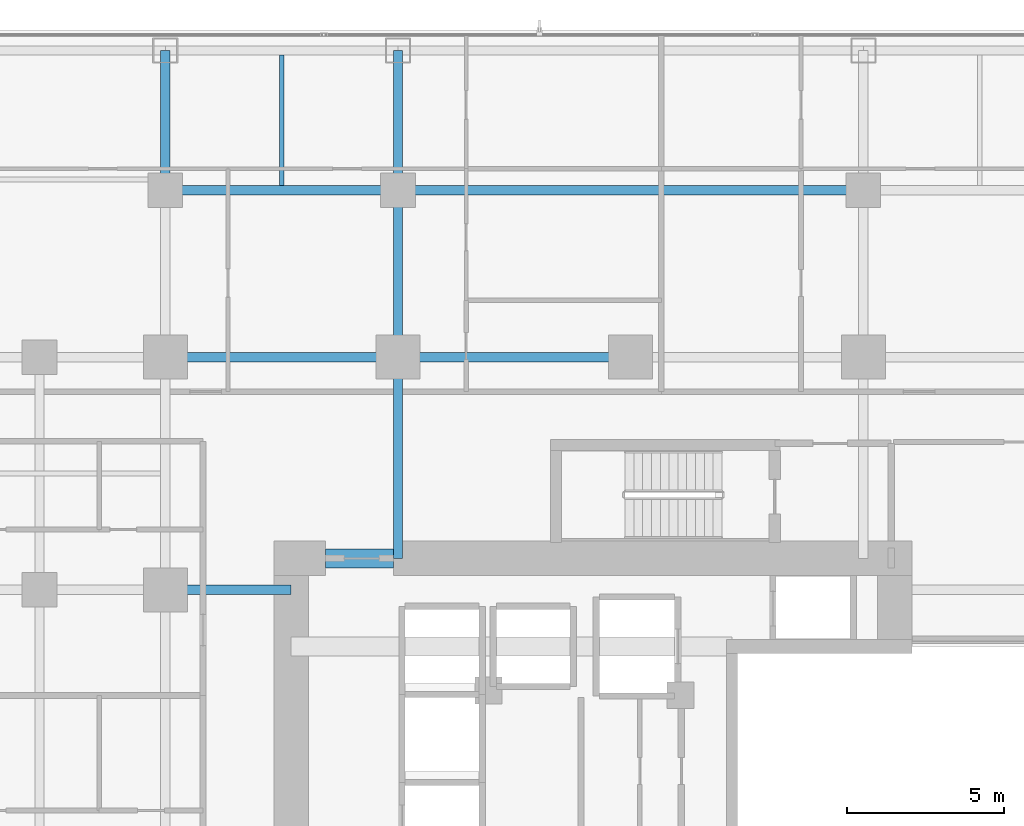
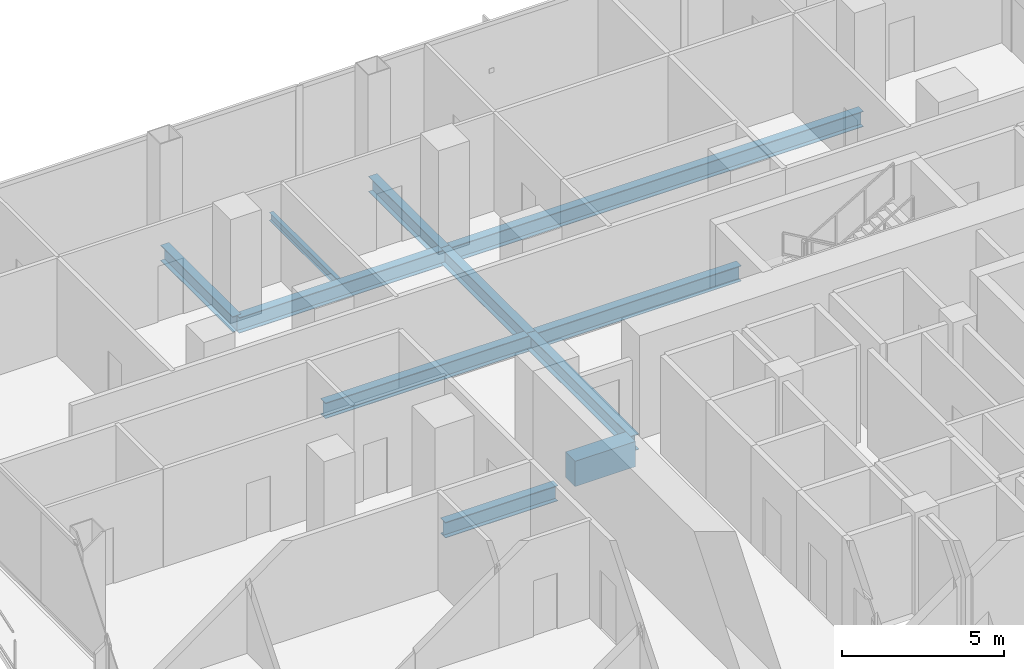
# One storey, part 14 of 30: 11 beams.
"""IFC4 building model written with IfcOpenShell, lengths in metres."""

from ifc_helpers import new_model, si_unit, direction, frame, origin, origin_2d, place, context, subcontext, project, spatial, rectangle, i_section, extrude, material, material_profile, profile_set, type_object, element, save


model = new_model("IFC4")

# Units and contexts
model_context = context("Model", 3, precision=1e-05, world=origin(), true_north=direction((0.0, 1.0)))
body_context = subcontext(model_context, "Body", "Model", "MODEL_VIEW")
ifc_project = project(units=[si_unit("LENGTHUNIT", "METRE"), si_unit("AREAUNIT", "SQUARE_METRE"), si_unit("VOLUMEUNIT", "CUBIC_METRE"), si_unit("PLANEANGLEUNIT", "RADIAN"), si_unit("MASSUNIT", "GRAM", prefix="KILO")], contexts=[model_context])

# Site, building, storey
site_placement = place(None, origin())
site = spatial("IfcSite", under=ifc_project, at=site_placement, CompositionType="ELEMENT")
building_placement = place(site_placement, origin())
building = spatial("IfcBuilding", under=site, at=building_placement, Name="Khorvyn Point Tower", CompositionType="ELEMENT")
storey_placement = place(building_placement, frame((0.0, 0.0, 57.89990234375)))
storey = spatial("IfcBuildingStorey", under=building, at=storey_placement, Name="L15", CompositionType="ELEMENT", Elevation=57.89990234375)

# Beams
ifc_material_1 = material(Name="Concrete C50/60", Category="concrete")
ifc_material_profile_1 = material_profile(ifc_material_1, rectangle(XDim=0.60009765625, YDim=0.949951171875, at=origin_2d()))
ifc_profile_set_1 = profile_set([ifc_material_profile_1], Name="Concrete C50/60 RC600x950")
beam_type_1 = type_object("IfcBeamType", Name="Concrete C50/60 Beam RC600x950", PredefinedType="BEAM", material=ifc_profile_set_1)
beam_1_placement = place(storey_placement, frame((-9.699951171875, 8.39990234375, -0.69482421875), z_axis=(1.0, 0.0, 0.0), x_axis=(0.0, 1.0, 0.0)))
element("IfcBeam", 1, at=beam_1_placement, inside=storey, type_object=beam_type_1, Name="L15 Core Northwest Portal Coupling Beam", PredefinedType="BEAM", context=body_context, shape_type="SweptSolid", body=[
    extrude(rectangle(XDim=0.60009765625, YDim=0.949951171875, at=origin_2d()), origin(), (0.0, 0.0, 1.0), 2.14990234375),
])
ifc_material_2 = material(Name="Steel S355", Category="steel")
ifc_material_profile_2 = material_profile(ifc_material_2, i_section(OverallWidth=0.300048828125, OverallDepth=0.587890625, WebThickness=0.011962890625, FlangeThickness=0.02001953125, at=origin_2d()))
ifc_profile_set_2 = profile_set([ifc_material_profile_2], Name="Steel S355 H588x300x12x20")
beam_type_2 = type_object("IfcBeamType", Name="Steel S355 Beam H588x300x12x20", PredefinedType="BEAM", material=ifc_profile_set_2)
beam_2_placement = place(storey_placement, frame((-14.800048828125, 14.800048828125, -0.513916015625), z_axis=(1.0, 0.0, 0.0), x_axis=(0.0, 1.0, 0.0)))
element("IfcBeam", 2, at=beam_2_placement, inside=storey, type_object=beam_type_2, Name="Beam", PredefinedType="BEAM", context=body_context, shape_type="SweptSolid", body=[
    extrude(i_section(OverallWidth=0.300048828125, OverallDepth=0.587890625, WebThickness=0.011962890625, FlangeThickness=0.02001953125, at=origin_2d()), origin(), (0.0, 0.0, 1.0), 7.400146484375),
])
beam_3_placement = place(storey_placement, frame((-7.39990234375, 14.800048828125, -0.513916015625), z_axis=(1.0, 0.0, 0.0), x_axis=(0.0, 1.0, 0.0)))
element("IfcBeam", 3, at=beam_3_placement, inside=storey, type_object=beam_type_2, Name="Beam", PredefinedType="BEAM", context=body_context, shape_type="SweptSolid", body=[
    extrude(i_section(OverallWidth=0.300048828125, OverallDepth=0.587890625, WebThickness=0.011962890625, FlangeThickness=0.02001953125, at=origin_2d()), origin(), (0.0, 0.0, 1.0), 7.39990234375),
])
beam_4_placement = place(storey_placement, frame((-14.800048828125, 7.39990234375, -0.513916015625), z_axis=(1.0, 0.0, 0.0), x_axis=(0.0, 1.0, 0.0)))
element("IfcBeam", 4, at=beam_4_placement, inside=storey, type_object=beam_type_2, Name="Beam", PredefinedType="BEAM", context=body_context, shape_type="SweptSolid", body=[
    extrude(i_section(OverallWidth=0.300048828125, OverallDepth=0.587890625, WebThickness=0.011962890625, FlangeThickness=0.02001953125, at=origin_2d()), origin(), (0.0, 0.0, 1.0), 4.0),
])
beam_5_placement = place(storey_placement, frame((-14.800048828125, 20.10009765625, -0.513916015625), z_axis=(1.0, 0.0, 0.0), x_axis=(0.0, 1.0, 0.0)))
element("IfcBeam", 5, at=beam_5_placement, inside=storey, type_object=beam_type_2, Name="Beam", PredefinedType="BEAM", context=body_context, shape_type="SweptSolid", body=[
    extrude(i_section(OverallWidth=0.300048828125, OverallDepth=0.587890625, WebThickness=0.011962890625, FlangeThickness=0.02001953125, at=origin_2d()), origin(), (0.0, 0.0, 1.0), 7.400146484375),
])
beam_6_placement = place(storey_placement, frame((-7.39990234375, 20.10009765625, -0.513916015625), z_axis=(1.0, 0.0, 0.0), x_axis=(0.0, 1.0, 0.0)))
element("IfcBeam", 6, at=beam_6_placement, inside=storey, type_object=beam_type_2, Name="Beam", PredefinedType="BEAM", context=body_context, shape_type="SweptSolid", body=[
    extrude(i_section(OverallWidth=0.300048828125, OverallDepth=0.587890625, WebThickness=0.011962890625, FlangeThickness=0.02001953125, at=origin_2d()), origin(), (0.0, 0.0, 1.0), 14.7998046875),
])
beam_7_placement = place(storey_placement, frame((-14.800048828125, 20.10009765625, -0.513916015625), z_axis=(0.0, 1.0, 0.0), x_axis=(-1.0, 0.0, 0.0)))
element("IfcBeam", 7, at=beam_7_placement, inside=storey, type_object=beam_type_2, Name="Beam", PredefinedType="BEAM", context=body_context, shape_type="SweptSolid", body=[
    extrude(i_section(OverallWidth=0.300048828125, OverallDepth=0.587890625, WebThickness=0.011962890625, FlangeThickness=0.02001953125, at=origin_2d()), origin(), (0.0, 0.0, 1.0), 4.449951171875),
])
beam_8_placement = place(storey_placement, frame((-7.39990234375, 8.39990234375, -0.513916015625), z_axis=(0.0, 1.0, 0.0), x_axis=(-1.0, 0.0, 0.0)))
element("IfcBeam", 8, at=beam_8_placement, inside=storey, type_object=beam_type_2, Name="Beam", PredefinedType="BEAM", context=body_context, shape_type="SweptSolid", body=[
    extrude(i_section(OverallWidth=0.300048828125, OverallDepth=0.587890625, WebThickness=0.011962890625, FlangeThickness=0.02001953125, at=origin_2d()), origin(), (0.0, 0.0, 1.0), 6.400146484375),
])
beam_9_placement = place(storey_placement, frame((-7.39990234375, 14.800048828125, -0.513916015625), z_axis=(0.0, 1.0, 0.0), x_axis=(-1.0, 0.0, 0.0)))
element("IfcBeam", 9, at=beam_9_placement, inside=storey, type_object=beam_type_2, Name="Beam", PredefinedType="BEAM", context=body_context, shape_type="SweptSolid", body=[
    extrude(i_section(OverallWidth=0.300048828125, OverallDepth=0.587890625, WebThickness=0.011962890625, FlangeThickness=0.02001953125, at=origin_2d()), origin(), (0.0, 0.0, 1.0), 5.300048828125),
])
beam_10_placement = place(storey_placement, frame((-7.39990234375, 20.10009765625, -0.513916015625), z_axis=(0.0, 1.0, 0.0), x_axis=(-1.0, 0.0, 0.0)))
element("IfcBeam", 10, at=beam_10_placement, inside=storey, type_object=beam_type_2, Name="Beam", PredefinedType="BEAM", context=body_context, shape_type="SweptSolid", body=[
    extrude(i_section(OverallWidth=0.300048828125, OverallDepth=0.587890625, WebThickness=0.011962890625, FlangeThickness=0.02001953125, at=origin_2d()), origin(), (0.0, 0.0, 1.0), 4.449951171875),
])
ifc_material_profile_3 = material_profile(ifc_material_2, i_section(OverallWidth=0.14990234375, OverallDepth=0.300048828125, WebThickness=0.006591796875, FlangeThickness=0.009033203125, at=origin_2d()))
ifc_profile_set_3 = profile_set([ifc_material_profile_3], Name="Steel S355 H300x150x6.5x9")
beam_type_3 = type_object("IfcBeamType", Name="Steel S355 Joist H300x150x6.5x9", PredefinedType="JOIST", material=ifc_profile_set_3)
beam_11_placement = place(storey_placement, frame((-11.10009765625, 20.25, -0.369873046875), z_axis=(0.0, 1.0, 0.0), x_axis=(-1.0, 0.0, 0.0)))
element("IfcBeam", 11, at=beam_11_placement, inside=storey, type_object=beam_type_3, Name="Beam", PredefinedType="JOIST", context=body_context, shape_type="SweptSolid", body=[
    extrude(i_section(OverallWidth=0.14990234375, OverallDepth=0.300048828125, WebThickness=0.006591796875, FlangeThickness=0.009033203125, at=origin_2d()), origin(), (0.0, 0.0, 1.0), 4.14990234375),
])

save(model, "model.ifc")
